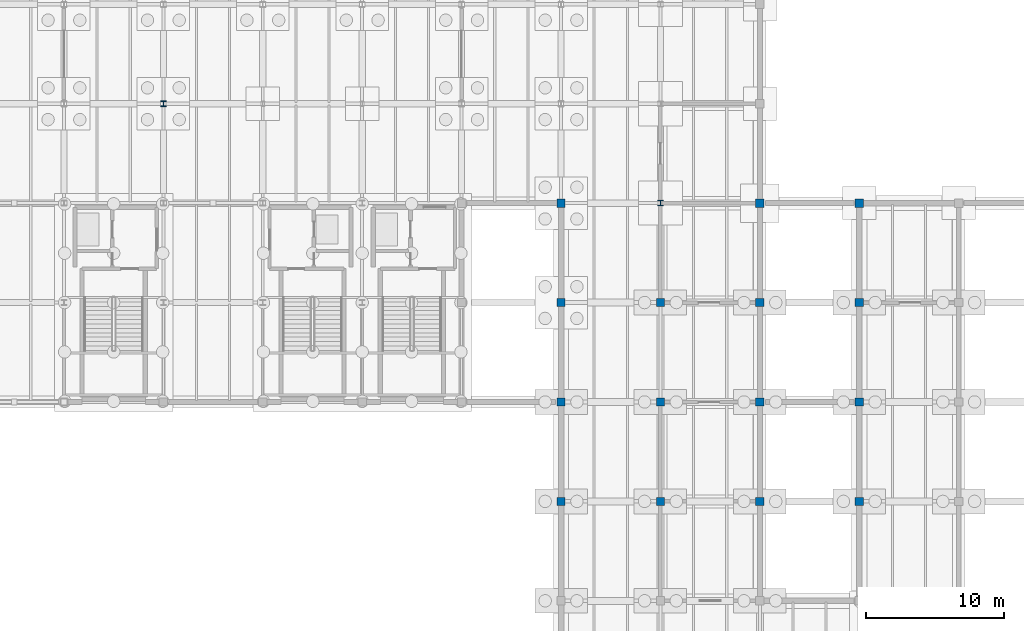
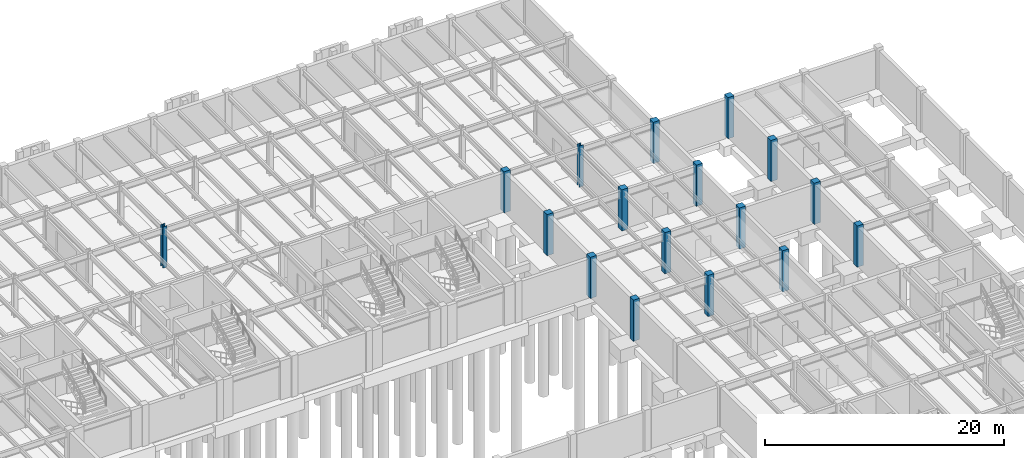
# One storey, part 17 of 46: 17 columns.
"""IFC4 building model written with IfcOpenShell, lengths in metres."""

from ifc_helpers import new_model, si_unit, direction, frame, origin, origin_2d, place, context, subcontext, project, spatial, rectangle, i_section, extrude, material, material_profile, profile_set, type_object, element, save


model = new_model("IFC4")

# Units and contexts
model_context = context("Model", 3, precision=1e-05, world=origin(), true_north=direction((0.0, 1.0)))
body_context = subcontext(model_context, "Body", "Model", "MODEL_VIEW")
ifc_project = project(units=[si_unit("LENGTHUNIT", "METRE"), si_unit("AREAUNIT", "SQUARE_METRE"), si_unit("VOLUMEUNIT", "CUBIC_METRE"), si_unit("PLANEANGLEUNIT", "RADIAN"), si_unit("MASSUNIT", "GRAM", prefix="KILO")], contexts=[model_context])

# Site, building, storey
site_placement = place(None, origin())
site = spatial("IfcSite", under=ifc_project, at=site_placement, CompositionType="ELEMENT")
building_placement = place(site_placement, origin())
building = spatial("IfcBuilding", under=site, at=building_placement, Name="Sillqori Civic Hall", CompositionType="ELEMENT")
storey_placement = place(building_placement, frame((0.0, 0.0, -4.199951171875)))
storey = spatial("IfcBuildingStorey", under=building, at=storey_placement, Name="B01", CompositionType="ELEMENT", Elevation=-4.199951171875)

# Columns
ifc_material_1 = material(Name="Concrete C35/45 (H35)", Category="concrete")
ifc_material_profile_1 = material_profile(ifc_material_1, rectangle(XDim=0.60009765625, YDim=0.60009765625, at=origin_2d()), Name="RC 600x600")
ifc_profile_set_1 = profile_set([ifc_material_profile_1], Name="Concrete C35/45 (H35)")
column_type_1 = type_object("IfcColumnType", Name="COL-RC600", PredefinedType="COLUMN", material=ifc_profile_set_1)
for number, where, z_axis, x_axis, name in (
    (1, (100.800048828125, 72.0, 0.0), (0.0, 0.0, 1.0), (1.0, 0.0, 0.0), "B01 column 14-10"),
    (2, (100.800048828125, 79.199951171875, 0.0), (0.0, 0.0, 1.0), (1.0, 0.0, 0.0), "B01 column 14-11"),
    (3, (100.800048828125, 86.39990234375, 0.0), (0.0, 0.0, 1.0), (1.0, 0.0, 0.0), "B01 column 14-12"),
    (4, (100.800048828125, 93.60009765625, 0.0), (0.0, 0.0, 1.0), (1.0, 0.0, 0.0), "B01 column 14-13"),
    (5, (108.0, 72.0, 0.0), (0.0, 0.0, 1.0), (1.0, 0.0, 0.0), "B01 column 15-10"),
    (6, (108.0, 79.199951171875, 0.0), (0.0, 0.0, 1.0), (1.0, 0.0, 0.0), "B01 column 15-11"),
    (7, (108.0, 86.39990234375, 0.0), (0.0, 0.0, 1.0), (1.0, 0.0, 0.0), "B01 column 15-12"),
    (8, (115.199951171875, 72.0, 0.0), (0.0, 0.0, 1.0), (1.0, 0.0, 0.0), "B01 column 16-10"),
    (9, (115.199951171875, 79.199951171875, 0.0), (0.0, 0.0, 1.0), (1.0, 0.0, 0.0), "B01 column 16-11"),
    (10, (115.199951171875, 86.39990234375, 0.0), (0.0, 0.0, 1.0), (1.0, 0.0, 0.0), "B01 column 16-12"),
    (11, (115.199951171875, 93.60009765625, 0.0), (0.0, 0.0, 1.0), (1.0, 0.0, 0.0), "B01 column 16-13"),
    (12, (122.39990234375, 72.0, 0.0), (0.0, 0.0, 1.0), (1.0, 0.0, 0.0), "B01 column 17-10"),
    (13, (122.39990234375, 79.199951171875, 0.0), (0.0, 0.0, 1.0), (1.0, 0.0, 0.0), "B01 column 17-11"),
    (14, (122.39990234375, 86.39990234375, 0.0), (0.0, 0.0, 1.0), (1.0, 0.0, 0.0), "B01 column 17-12"),
    (15, (122.39990234375, 93.60009765625, 0.0), (0.0, 0.0, 1.0), (1.0, 0.0, 0.0), "B01 column 17-13"),
):
    element("IfcColumn", number, at=place(storey_placement, frame(where, z_axis=z_axis, x_axis=x_axis)), inside=storey, type_object=column_type_1, Name=name, PredefinedType="COLUMN", context=body_context, shape_type="SweptSolid", body=[
        extrude(rectangle(XDim=0.60009765625, YDim=0.60009765625, at=origin_2d()), origin(), (0.0, 0.0, 1.0), 4.199951171875),
    ])
ifc_material_2 = material(Name="Steel ASTM A992", Category="steel")
ifc_material_profile_2 = material_profile(ifc_material_2, i_section(OverallWidth=0.39892578125, OverallDepth=0.385986328125, WebThickness=0.02099609375, FlangeThickness=0.033203125, FilletRadius=0.014892578125, at=origin_2d()), Name="W14X176")
ifc_profile_set_2 = profile_set([ifc_material_profile_2], Name="Steel ASTM A992")
column_type_2 = type_object("IfcColumnType", Name="COL-W14X176", PredefinedType="COLUMN", material=ifc_profile_set_2)
column_1_placement = place(storey_placement, frame((108.0, 93.60009765625, 0.0), z_axis=(0.0, 0.0, 1.0), x_axis=(1.0, 0.0, 0.0)))
element("IfcColumn", 16, at=column_1_placement, inside=storey, type_object=column_type_2, Name="B01 column 15-13", PredefinedType="COLUMN", context=body_context, shape_type="SweptSolid", body=[
    extrude(i_section(OverallWidth=0.39892578125, OverallDepth=0.385986328125, WebThickness=0.02099609375, FlangeThickness=0.033203125, FilletRadius=0.014892578125, at=origin_2d()), origin(), (0.0, 0.0, 1.0), 4.199951171875),
])
ifc_material_profile_3 = material_profile(ifc_material_2, i_section(OverallWidth=0.404052734375, OverallDepth=0.406005859375, WebThickness=0.027099609375, FlangeThickness=0.043701171875, FilletRadius=0.014892578125, at=origin_2d()), Name="W14X233")
ifc_profile_set_3 = profile_set([ifc_material_profile_3], Name="Steel ASTM A992")
column_type_3 = type_object("IfcColumnType", Name="COL-W14X233", PredefinedType="COLUMN", material=ifc_profile_set_3)
column_2_placement = place(storey_placement, frame((72.0, 100.800048828125, 0.0), z_axis=(0.0, 0.0, 1.0), x_axis=(1.0, 0.0, 0.0)))
element("IfcColumn", 17, at=column_2_placement, inside=storey, type_object=column_type_3, Name="B01 column 10-14", PredefinedType="COLUMN", context=body_context, shape_type="SweptSolid", body=[
    extrude(i_section(OverallWidth=0.404052734375, OverallDepth=0.406005859375, WebThickness=0.027099609375, FlangeThickness=0.043701171875, FilletRadius=0.014892578125, at=origin_2d()), origin(), (0.0, 0.0, 1.0), 4.199951171875),
])

save(model, "model.ifc")
